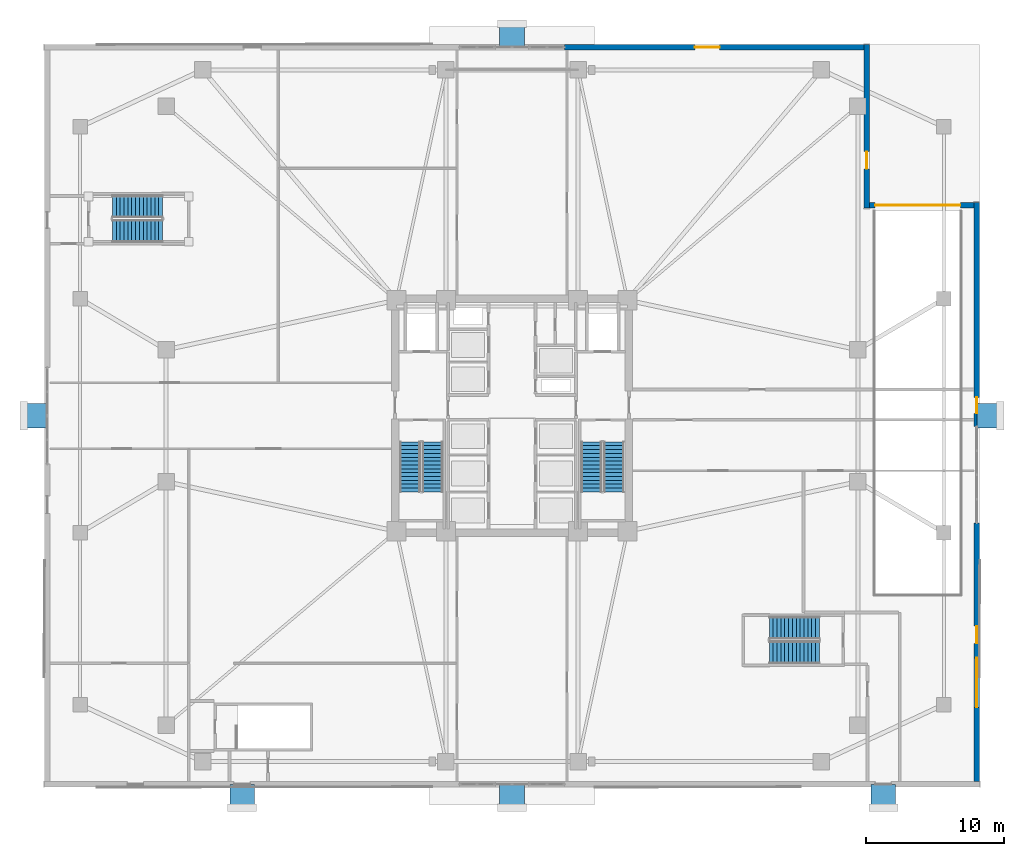
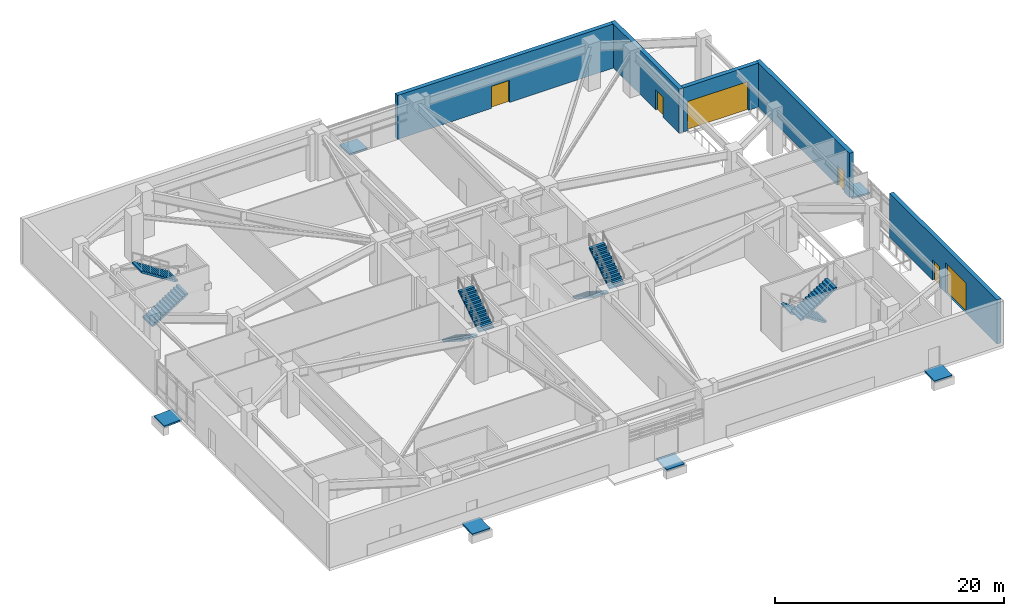
# One storey, part 12 of 21: 8 stair flights, 6 doors, 6 ramp flights, 5 walls, 6 openings, 10 elements without a shape of their own.
"""IFC4 building model written with IfcOpenShell, lengths in metres."""

from ifc_helpers import new_model, si_unit, direction, frame, frame_2d, origin, place, context, subcontext, project, spatial, polyline, rectangle, outline, extrude, material, layer, layer_set, type_object, element, fill, aggregate, save


model = new_model("IFC4")

# Units and contexts
model_context = context("Model", 3, precision=1e-05, world=origin(), true_north=direction((0.0, 1.0)))
body_context = subcontext(model_context, "Body", "Model", "MODEL_VIEW")
ifc_project = project(units=[si_unit("LENGTHUNIT", "METRE"), si_unit("AREAUNIT", "SQUARE_METRE"), si_unit("VOLUMEUNIT", "CUBIC_METRE"), si_unit("PLANEANGLEUNIT", "RADIAN"), si_unit("MASSUNIT", "GRAM", prefix="KILO")], contexts=[model_context])

# Site, building, storey
site_placement = place(None, origin())
site = spatial("IfcSite", under=ifc_project, at=site_placement, CompositionType="ELEMENT")
building_placement = place(site_placement, origin())
building = spatial("IfcBuilding", under=site, at=building_placement, Name="Cairnveth Concourse Tower", CompositionType="ELEMENT")
storey_placement = place(building_placement, origin())
storey = spatial("IfcBuildingStorey", under=building, at=storey_placement, Name="L00", CompositionType="ELEMENT", Elevation=0.0)

# Wall, opening, door
ifc_material_1 = material(Name="Hawthorn Red-Ochre Fired Clay Brick Masonry", Category="masonry")
ifc_layer_1 = layer(ifc_material_1, 0.419921875)
ifc_layer_set_1 = layer_set([ifc_layer_1], Name="Hawthorn Red-Ochre Fired Clay Brick Masonry")
wall_type = type_object("IfcWallType", Name="PODIUM HAWTHORN BRICK WALL 420", PredefinedType="SOLIDWALL", material=ifc_layer_set_1)
wall_1_placement = place(storey_placement, frame((55.800048828125, 65.7900390625, 0.0), z_axis=(0.0, 0.0, 1.0), x_axis=(1.0, 0.0, 0.0)))
wall_1 = element("IfcWall", 1, at=wall_1_placement, inside=storey, type_object=wall_type, Name="Exterior Wall EW-L00-NE", PredefinedType="SOLIDWALL", context=body_context, shape_type="SweptSolid", body=[
    extrude(rectangle(XDim=21.794921875, YDim=0.419921875, at=frame_2d((10.8974609375, 0.0))), origin(), (0.0, 0.0, 1.0), 4.699951171875),
])
opening_1_placement = place(wall_1_placement, frame((9.5, 0.0, 0.0)))
opening_1 = element("IfcOpeningElement", 2, at=opening_1_placement, cuts=wall_1, Name="Opening ED2", PredefinedType="OPENING", context=body_context, shape_type="SweptSolid", body=[
    extrude(rectangle(XDim=1.800048828125, YDim=2.35009765625, at=frame_2d((0.89990234375, 1.175048828125))), frame((0.0, 0.219970703125, 0.0), z_axis=(0.0, -1.0, 0.0), x_axis=(1.0, 0.0, 0.0)), (0.0, 0.0, 1.0), 0.43994140625),
])
ifc_material_2 = material(Name="Architectural Bronze Anodised Aluminium 6063-T6", Category="aluminium")
door_type_1 = type_object("IfcDoorType", Name="RETAIL STREET ENTRANCE DOOR 1800X2350", OperationType="DOUBLE_DOOR_SINGLE_SWING", PredefinedType="DOOR", material=ifc_material_2)
door_1_placement = place(opening_1_placement, origin())
door_1 = element("IfcDoor", 3, at=door_1_placement, inside=storey, type_object=door_type_1, Name="North-East Retail Street Door", OperationType="SINGLE_SWING_LEFT", OverallHeight=2.35009765625, OverallWidth=1.800048828125, PredefinedType="DOOR", context=body_context, shape_type="SweptSolid", body=[
    extrude(rectangle(XDim=1.800048828125, YDim=2.35009765625, at=frame_2d((0.89990234375, 1.175048828125))), frame((0.0, 0.02490234375, 0.0), z_axis=(0.0, -1.0, 0.0), x_axis=(1.0, 0.0, 0.0)), (0.0, 0.0, 1.0), 0.050048828125),
])
fill(opening_1, door_1)

wall_2_placement = place(storey_placement, frame((77.7900390625, 66.0, 0.0), z_axis=(0.0, 0.0, 1.0), x_axis=(0.0, -1.0, 0.0)))
wall_2 = element("IfcWall", 4, at=wall_2_placement, inside=storey, type_object=wall_type, Name="Exterior Wall EW-L00-APRON-W", PredefinedType="SOLIDWALL", context=body_context, shape_type="SweptSolid", body=[
    extrude(rectangle(XDim=11.909912109375, YDim=0.419921875, at=frame_2d((5.955078125, 0.0))), origin(), (0.0, 0.0, 1.0), 4.699951171875),
])
opening_2_placement = place(wall_2_placement, frame((7.800048828125, 0.0, 0.0)))
opening_2 = element("IfcOpeningElement", 5, at=opening_2_placement, cuts=wall_2, Name="Opening SG-01", PredefinedType="OPENING", context=body_context, shape_type="SweptSolid", body=[
    extrude(rectangle(XDim=1.25, YDim=2.14990234375, at=frame_2d((0.625, 1.074951171875))), frame((0.0, 0.219970703125, 0.0), z_axis=(0.0, -1.0, 0.0), x_axis=(1.0, 0.0, 0.0)), (0.0, 0.0, 1.0), 0.43994140625),
])
door_type_2 = type_object("IfcDoorType", Name="APRON PEDESTRIAN SECURITY GATE 1250X2150", OperationType="NOTDEFINED", PredefinedType="GATE", material=ifc_material_2)
door_2_placement = place(opening_2_placement, origin())
door_2 = element("IfcDoor", 6, at=door_2_placement, inside=storey, type_object=door_type_2, Name="Driveway Apron Security Gate SG-01", OperationType="SINGLE_SWING_LEFT", OverallHeight=2.14990234375, OverallWidth=1.25, PredefinedType="GATE", context=body_context, shape_type="SweptSolid", body=[
    extrude(rectangle(XDim=1.25, YDim=2.14990234375, at=frame_2d((0.625, 1.074951171875))), frame((0.0, 0.02490234375, 0.0), z_axis=(0.0, -1.0, 0.0), x_axis=(1.0, 0.0, 0.0)), (0.0, 0.0, 1.0), 0.050048828125),
])
fill(opening_2, door_2)

wall_3_placement = place(storey_placement, frame((77.985107421875, 54.300048828125, 0.0), z_axis=(0.0, 0.0, 1.0), x_axis=(1.0, 0.0, 0.0)))
wall_3 = element("IfcWall", 7, at=wall_3_placement, inside=storey, type_object=wall_type, Name="Exterior Wall EW-L00-APRON-S", PredefinedType="SOLIDWALL", context=body_context, shape_type="SweptSolid", body=[
    extrude(rectangle(XDim=7.60986328125, YDim=0.419921875, at=frame_2d((3.804931640625, 0.0))), origin(), (0.0, 0.0, 1.0), 4.699951171875),
])
opening_3_placement = place(wall_3_placement, frame((0.4150390625, 0.0, 0.0)))
opening_3 = element("IfcOpeningElement", 8, at=opening_3_placement, cuts=wall_3, Name="Opening VG-01", PredefinedType="OPENING", context=body_context, shape_type="SweptSolid", body=[
    extrude(rectangle(XDim=6.199951171875, YDim=3.10009765625, at=frame_2d((3.10009765625, 1.550048828125))), frame((0.0, 0.219970703125, 0.0), z_axis=(0.0, -1.0, 0.0), x_axis=(1.0, 0.0, 0.0)), (0.0, 0.0, 1.0), 0.43994140625),
])
door_type_3 = type_object("IfcDoorType", Name="VEHICLE RAMP ROLLER GATE 6200X3100", OperationType="ROLLINGUP", PredefinedType="GATE", material=ifc_material_2)
door_3_placement = place(opening_3_placement, origin())
door_3 = element("IfcDoor", 9, at=door_3_placement, inside=storey, type_object=door_type_3, Name="Vehicle Car Park Ramp Roller Gate VG-01", OperationType="ROLLINGUP", OverallHeight=3.10009765625, OverallWidth=6.199951171875, PredefinedType="GATE", context=body_context, shape_type="SweptSolid", body=[
    extrude(rectangle(XDim=6.199951171875, YDim=3.10009765625, at=frame_2d((3.10009765625, 1.550048828125))), frame((0.0, 0.02490234375, 0.0), z_axis=(0.0, -1.0, 0.0), x_axis=(1.0, 0.0, 0.0)), (0.0, 0.0, 1.0), 0.050048828125),
])
fill(opening_3, door_3)

wall_4_placement = place(storey_placement, frame((85.7900390625, 54.510009765625, 0.0), z_axis=(0.0, 0.0, 1.0), x_axis=(0.0, -1.0, 0.0)))
wall_4 = element("IfcWall", 10, at=wall_4_placement, inside=storey, type_object=wall_type, Name="Exterior Wall EW-L00-E1", PredefinedType="SOLIDWALL", context=body_context, shape_type="SweptSolid", body=[
    extrude(rectangle(XDim=16.31005859375, YDim=0.419921875, at=frame_2d((8.155029296875, 0.0))), origin(), (0.0, 0.0, 1.0), 4.699951171875),
])
opening_4_placement = place(wall_4_placement, frame((14.179931640625, 0.0, 0.0)))
opening_4 = element("IfcOpeningElement", 11, at=opening_4_placement, cuts=wall_4, Name="Opening ED3", PredefinedType="OPENING", context=body_context, shape_type="SweptSolid", body=[
    extrude(rectangle(XDim=1.14990234375, YDim=2.14990234375, at=frame_2d((0.574951171875, 1.074951171875))), frame((0.0, 0.219970703125, 0.0), z_axis=(0.0, -1.0, 0.0), x_axis=(1.0, 0.0, 0.0)), (0.0, 0.0, 1.0), 0.43994140625),
])
door_type_4 = type_object("IfcDoorType", Name="FINAL EXIT DISCHARGE DOOR 1150X2150", OperationType="NOTDEFINED", PredefinedType="DOOR", material=ifc_material_2)
door_4_placement = place(opening_4_placement, origin())
door_4 = element("IfcDoor", 12, at=door_4_placement, inside=storey, type_object=door_type_4, Name="East Core Stair ST-2 Final Exit Discharge Door", OperationType="SINGLE_SWING_LEFT", OverallHeight=2.14990234375, OverallWidth=1.14990234375, PredefinedType="DOOR", context=body_context, shape_type="SweptSolid", body=[
    extrude(rectangle(XDim=1.14990234375, YDim=2.14990234375, at=frame_2d((0.574951171875, 1.074951171875))), frame((0.0, 0.02490234375, 0.0), z_axis=(0.0, -1.0, 0.0), x_axis=(1.0, 0.0, 0.0)), (0.0, 0.0, 1.0), 0.050048828125),
])
fill(opening_4, door_4)

# Wall, openings, doors
wall_5_placement = place(storey_placement, frame((85.7900390625, 31.199951171875, 0.0), z_axis=(0.0, 0.0, 1.0), x_axis=(0.0, -1.0, 0.0)))
wall_5 = element("IfcWall", 13, at=wall_5_placement, inside=storey, type_object=wall_type, Name="Exterior Wall EW-L00-E2", PredefinedType="SOLIDWALL", context=body_context, shape_type="SweptSolid", body=[
    extrude(rectangle(XDim=18.794921875, YDim=0.419921875, at=frame_2d((9.3974609375, 0.0))), origin(), (0.0, 0.0, 1.0), 4.699951171875),
])
opening_5_placement = place(wall_5_placement, frame((9.800048828125, 0.0, 0.0)))
opening_5 = element("IfcOpeningElement", 14, at=opening_5_placement, cuts=wall_5, Name="Opening LG-01", PredefinedType="OPENING", context=body_context, shape_type="SweptSolid", body=[
    extrude(rectangle(XDim=3.60009765625, YDim=3.199951171875, at=frame_2d((1.800048828125, 1.60009765625))), frame((0.0, 0.219970703125, 0.0), z_axis=(0.0, -1.0, 0.0), x_axis=(1.0, 0.0, 0.0)), (0.0, 0.0, 1.0), 0.43994140625),
])
opening_6_placement = place(wall_5_placement, frame((7.5, 0.0, 0.0)))
opening_6 = element("IfcOpeningElement", 15, at=opening_6_placement, cuts=wall_5, Name="Opening SG-01", PredefinedType="OPENING", context=body_context, shape_type="SweptSolid", body=[
    extrude(rectangle(XDim=1.25, YDim=2.14990234375, at=frame_2d((0.625, 1.074951171875))), frame((0.0, 0.219970703125, 0.0), z_axis=(0.0, -1.0, 0.0), x_axis=(1.0, 0.0, 0.0)), (0.0, 0.0, 1.0), 0.43994140625),
])
door_5_placement = place(opening_6_placement, origin())
door_5 = element("IfcDoor", 16, at=door_5_placement, inside=storey, type_object=door_type_2, Name="Loading Personnel Gate SG-02", OperationType="SINGLE_SWING_RIGHT", OverallHeight=2.14990234375, OverallWidth=1.25, PredefinedType="GATE", context=body_context, shape_type="SweptSolid", body=[
    extrude(rectangle(XDim=1.25, YDim=2.14990234375, at=frame_2d((0.625, 1.074951171875))), frame((0.0, 0.02490234375, 0.0), z_axis=(0.0, -1.0, 0.0), x_axis=(1.0, 0.0, 0.0)), (0.0, 0.0, 1.0), 0.050048828125),
])
fill(opening_6, door_5)
door_type_5 = type_object("IfcDoorType", Name="LOADING DOCK SECURITY GATE 3600X3200", OperationType="ROLLINGUP", PredefinedType="GATE", material=ifc_material_2)
door_6_placement = place(opening_5_placement, origin())
door_6 = element("IfcDoor", 17, at=door_6_placement, inside=storey, type_object=door_type_5, Name="Loading Dock Roller Shutter Gate LG-01", OperationType="ROLLINGUP", OverallHeight=3.199951171875, OverallWidth=3.60009765625, PredefinedType="GATE", context=body_context, shape_type="SweptSolid", body=[
    extrude(rectangle(XDim=3.60009765625, YDim=3.199951171875, at=frame_2d((1.800048828125, 1.60009765625))), frame((0.0, 0.02490234375, 0.0), z_axis=(0.0, -1.0, 0.0), x_axis=(1.0, 0.0, 0.0)), (0.0, 0.0, 1.0), 0.050048828125),
])
fill(opening_5, door_6)

# Stair, stair flights
ifc_material_3 = material(Name="Precast concrete N50 (50 MPa)", Category="concrete")
stair_type_1 = type_object("IfcStairType", Name="CORE DOG-LEG FIRE STAIR 1500", PredefinedType="HALF_TURN_STAIR", material=ifc_material_3)
stair_1_placement = place(storey_placement, origin())
stair_1 = element("IfcStair", 18, at=stair_1_placement, inside=storey, type_object=stair_type_1, Name="L00 Fire-Isolated Stair ST-1", PredefinedType="HALF_TURN_STAIR")
stair_flight_type_1 = type_object("IfcStairFlightType", Name="PRECAST CONCRETE STAIR FLIGHT 1500", PredefinedType="STRAIGHT", material=ifc_material_3)
stair_flight_1_placement = place(storey_placement, frame((44.590087890625, 37.10009765625, 0.0), z_axis=(0.0, 0.0, 1.0), x_axis=(0.0, -1.0, 0.0)))
stair_flight_1 = element("IfcStairFlight", 19, at=stair_flight_1_placement, type_object=stair_flight_type_1, Name="ST-1 flight 1", NumberOfRisers=14, NumberOfTreads=13, PredefinedType="STRAIGHT", RiserHeight=0.178571429, TreadLength=0.28, context=body_context, shape_type="SweptSolid", body=[
    extrude(outline(polyline([(0.0, 0.0), (0.0, 0.178466796875), (0.280029296875, 0.178466796875), (0.280029296875, 0.357177734375), (0.56005859375, 0.357177734375), (0.56005859375, 0.53564453125), (0.840087890625, 0.53564453125), (0.840087890625, 0.71435546875), (1.1201171875, 0.71435546875), (1.1201171875, 0.892822265625), (1.39990234375, 0.892822265625), (1.39990234375, 1.071533203125), (1.679931640625, 1.071533203125), (1.679931640625, 1.25), (1.9599609375, 1.25), (1.9599609375, 1.428466796875), (2.239990234375, 1.428466796875), (2.239990234375, 1.607177734375), (2.52001953125, 1.607177734375), (2.52001953125, 1.78564453125), (2.800048828125, 1.78564453125), (2.800048828125, 1.96435546875), (3.080078125, 1.96435546875), (3.080078125, 2.142822265625), (3.360107421875, 2.142822265625), (3.360107421875, 2.321533203125), (3.639892578125, 2.321533203125), (3.639892578125, 2.5), (3.639892578125, 2.1435546875), (0.27880859375, 0.0), (0.0, 0.0)])), frame((0.0, 0.75, 0.0), z_axis=(0.0, -1.0, 0.0), x_axis=(1.0, 0.0, 0.0)), (0.0, 0.0, 1.0), 1.5),
])
stair_flight_2_placement = place(storey_placement, frame((46.22998046875, 33.4599609375, 2.5), z_axis=(0.0, 0.0, 1.0), x_axis=(0.0, 1.0, 0.0)))
stair_flight_2 = element("IfcStairFlight", 20, at=stair_flight_2_placement, type_object=stair_flight_type_1, Name="ST-1 flight 2", NumberOfRisers=14, NumberOfTreads=13, PredefinedType="STRAIGHT", RiserHeight=0.178571429, TreadLength=0.28, context=body_context, shape_type="SweptSolid", body=[
    extrude(outline(polyline([(0.0, 0.0), (0.0, 0.178466796875), (0.280029296875, 0.178466796875), (0.280029296875, 0.357177734375), (0.56005859375, 0.357177734375), (0.56005859375, 0.53564453125), (0.840087890625, 0.53564453125), (0.840087890625, 0.71435546875), (1.1201171875, 0.71435546875), (1.1201171875, 0.892822265625), (1.39990234375, 0.892822265625), (1.39990234375, 1.071533203125), (1.679931640625, 1.071533203125), (1.679931640625, 1.25), (1.9599609375, 1.25), (1.9599609375, 1.428466796875), (2.239990234375, 1.428466796875), (2.239990234375, 1.607177734375), (2.52001953125, 1.607177734375), (2.52001953125, 1.78564453125), (2.800048828125, 1.78564453125), (2.800048828125, 1.96435546875), (3.080078125, 1.96435546875), (3.080078125, 2.142822265625), (3.360107421875, 2.142822265625), (3.360107421875, 2.321533203125), (3.639892578125, 2.321533203125), (3.639892578125, 2.5), (3.639892578125, 2.1435546875), (0.27880859375, 0.0), (0.0, 0.0)])), frame((0.0, 0.75, 0.0), z_axis=(0.0, -1.0, 0.0), x_axis=(1.0, 0.0, 0.0)), (0.0, 0.0, 1.0), 1.5),
])
aggregate(stair_1, [stair_flight_1, stair_flight_2])

stair_2_placement = place(storey_placement, origin())
stair_2 = element("IfcStair", 21, at=stair_2_placement, inside=storey, type_object=stair_type_1, Name="L00 Fire-Isolated Stair ST-2", PredefinedType="HALF_TURN_STAIR")
stair_flight_3_placement = place(storey_placement, frame((57.77001953125, 37.10009765625, 0.0), z_axis=(0.0, 0.0, 1.0), x_axis=(0.0, -1.0, 0.0)))
stair_flight_3 = element("IfcStairFlight", 22, at=stair_flight_3_placement, type_object=stair_flight_type_1, Name="ST-2 flight 1", NumberOfRisers=14, NumberOfTreads=13, PredefinedType="STRAIGHT", RiserHeight=0.178571429, TreadLength=0.28, context=body_context, shape_type="SweptSolid", body=[
    extrude(outline(polyline([(0.0, 0.0), (0.0, 0.178466796875), (0.280029296875, 0.178466796875), (0.280029296875, 0.357177734375), (0.56005859375, 0.357177734375), (0.56005859375, 0.53564453125), (0.840087890625, 0.53564453125), (0.840087890625, 0.71435546875), (1.1201171875, 0.71435546875), (1.1201171875, 0.892822265625), (1.39990234375, 0.892822265625), (1.39990234375, 1.071533203125), (1.679931640625, 1.071533203125), (1.679931640625, 1.25), (1.9599609375, 1.25), (1.9599609375, 1.428466796875), (2.239990234375, 1.428466796875), (2.239990234375, 1.607177734375), (2.52001953125, 1.607177734375), (2.52001953125, 1.78564453125), (2.800048828125, 1.78564453125), (2.800048828125, 1.96435546875), (3.080078125, 1.96435546875), (3.080078125, 2.142822265625), (3.360107421875, 2.142822265625), (3.360107421875, 2.321533203125), (3.639892578125, 2.321533203125), (3.639892578125, 2.5), (3.639892578125, 2.1435546875), (0.27880859375, 0.0), (0.0, 0.0)])), frame((0.0, 0.75, 0.0), z_axis=(0.0, -1.0, 0.0), x_axis=(1.0, 0.0, 0.0)), (0.0, 0.0, 1.0), 1.5),
])
stair_flight_4_placement = place(storey_placement, frame((59.409912109375, 33.4599609375, 2.5), z_axis=(0.0, 0.0, 1.0), x_axis=(0.0, 1.0, 0.0)))
stair_flight_4 = element("IfcStairFlight", 23, at=stair_flight_4_placement, type_object=stair_flight_type_1, Name="ST-2 flight 2", NumberOfRisers=14, NumberOfTreads=13, PredefinedType="STRAIGHT", RiserHeight=0.178571429, TreadLength=0.28, context=body_context, shape_type="SweptSolid", body=[
    extrude(outline(polyline([(0.0, 0.0), (0.0, 0.178466796875), (0.280029296875, 0.178466796875), (0.280029296875, 0.357177734375), (0.56005859375, 0.357177734375), (0.56005859375, 0.53564453125), (0.840087890625, 0.53564453125), (0.840087890625, 0.71435546875), (1.1201171875, 0.71435546875), (1.1201171875, 0.892822265625), (1.39990234375, 0.892822265625), (1.39990234375, 1.071533203125), (1.679931640625, 1.071533203125), (1.679931640625, 1.25), (1.9599609375, 1.25), (1.9599609375, 1.428466796875), (2.239990234375, 1.428466796875), (2.239990234375, 1.607177734375), (2.52001953125, 1.607177734375), (2.52001953125, 1.78564453125), (2.800048828125, 1.78564453125), (2.800048828125, 1.96435546875), (3.080078125, 1.96435546875), (3.080078125, 2.142822265625), (3.360107421875, 2.142822265625), (3.360107421875, 2.321533203125), (3.639892578125, 2.321533203125), (3.639892578125, 2.5), (3.639892578125, 2.1435546875), (0.27880859375, 0.0), (0.0, 0.0)])), frame((0.0, 0.75, 0.0), z_axis=(0.0, -1.0, 0.0), x_axis=(1.0, 0.0, 0.0)), (0.0, 0.0, 1.0), 1.5),
])
aggregate(stair_2, [stair_flight_3, stair_flight_4])

stair_type_2 = type_object("IfcStairType", Name="PODIUM ESCAPE DOG-LEG STAIR 1650", PredefinedType="HALF_TURN_STAIR", material=ifc_material_3)
stair_3_placement = place(storey_placement, origin())
stair_3 = element("IfcStair", 24, at=stair_3_placement, inside=storey, type_object=stair_type_2, Name="L00 Fire-Isolated Stair ST-P1", PredefinedType="HALF_TURN_STAIR")
stair_flight_type_2 = type_object("IfcStairFlightType", Name="PRECAST CONCRETE STAIR FLIGHT 1650", PredefinedType="STRAIGHT", material=ifc_material_3)
stair_flight_5_placement = place(storey_placement, frame((22.949951171875, 52.425048828125, 0.0), z_axis=(0.0, 0.0, 1.0), x_axis=(1.0, 0.0, 0.0)))
stair_flight_5 = element("IfcStairFlight", 25, at=stair_flight_5_placement, type_object=stair_flight_type_2, Name="ST-P1 flight 1", NumberOfRisers=14, NumberOfTreads=13, PredefinedType="STRAIGHT", RiserHeight=0.178571429, TreadLength=0.28, context=body_context, shape_type="SweptSolid", body=[
    extrude(outline(polyline([(0.0, 0.0), (0.0, 0.178466796875), (0.280029296875, 0.178466796875), (0.280029296875, 0.357177734375), (0.56005859375, 0.357177734375), (0.56005859375, 0.53564453125), (0.840087890625, 0.53564453125), (0.840087890625, 0.71435546875), (1.1201171875, 0.71435546875), (1.1201171875, 0.892822265625), (1.39990234375, 0.892822265625), (1.39990234375, 1.071533203125), (1.679931640625, 1.071533203125), (1.679931640625, 1.25), (1.9599609375, 1.25), (1.9599609375, 1.428466796875), (2.239990234375, 1.428466796875), (2.239990234375, 1.607177734375), (2.52001953125, 1.607177734375), (2.52001953125, 1.78564453125), (2.800048828125, 1.78564453125), (2.800048828125, 1.96435546875), (3.080078125, 1.96435546875), (3.080078125, 2.142822265625), (3.360107421875, 2.142822265625), (3.360107421875, 2.321533203125), (3.639892578125, 2.321533203125), (3.639892578125, 2.5), (3.639892578125, 2.1435546875), (0.27880859375, 0.0), (0.0, 0.0)])), frame((0.0, 0.824951171875, 0.0), z_axis=(0.0, -1.0, 0.0), x_axis=(1.0, 0.0, 0.0)), (0.0, 0.0, 1.0), 1.64990234375),
])
stair_flight_6_placement = place(storey_placement, frame((26.590087890625, 54.215087890625, 2.5), z_axis=(0.0, 0.0, 1.0), x_axis=(-1.0, 0.0, 0.0)))
stair_flight_6 = element("IfcStairFlight", 26, at=stair_flight_6_placement, type_object=stair_flight_type_2, Name="ST-P1 flight 2", NumberOfRisers=14, NumberOfTreads=13, PredefinedType="STRAIGHT", RiserHeight=0.178571429, TreadLength=0.28, context=body_context, shape_type="SweptSolid", body=[
    extrude(outline(polyline([(0.0, 0.0), (0.0, 0.178466796875), (0.280029296875, 0.178466796875), (0.280029296875, 0.357177734375), (0.56005859375, 0.357177734375), (0.56005859375, 0.53564453125), (0.840087890625, 0.53564453125), (0.840087890625, 0.71435546875), (1.1201171875, 0.71435546875), (1.1201171875, 0.892822265625), (1.39990234375, 0.892822265625), (1.39990234375, 1.071533203125), (1.679931640625, 1.071533203125), (1.679931640625, 1.25), (1.9599609375, 1.25), (1.9599609375, 1.428466796875), (2.239990234375, 1.428466796875), (2.239990234375, 1.607177734375), (2.52001953125, 1.607177734375), (2.52001953125, 1.78564453125), (2.800048828125, 1.78564453125), (2.800048828125, 1.96435546875), (3.080078125, 1.96435546875), (3.080078125, 2.142822265625), (3.360107421875, 2.142822265625), (3.360107421875, 2.321533203125), (3.639892578125, 2.321533203125), (3.639892578125, 2.5), (3.639892578125, 2.1435546875), (0.27880859375, 0.0), (0.0, 0.0)])), frame((0.0, 0.824951171875, 0.0), z_axis=(0.0, -1.0, 0.0), x_axis=(1.0, 0.0, 0.0)), (0.0, 0.0, 1.0), 1.64990234375),
])
aggregate(stair_3, [stair_flight_5, stair_flight_6])

stair_4_placement = place(storey_placement, origin())
stair_4 = element("IfcStair", 27, at=stair_4_placement, inside=storey, type_object=stair_type_2, Name="L00 Fire-Isolated Stair ST-P2", PredefinedType="HALF_TURN_STAIR")
stair_flight_7_placement = place(storey_placement, frame((74.35009765625, 23.574951171875, 0.0), z_axis=(0.0, 0.0, 1.0), x_axis=(-1.0, 0.0, 0.0)))
stair_flight_7 = element("IfcStairFlight", 28, at=stair_flight_7_placement, type_object=stair_flight_type_2, Name="ST-P2 flight 1", NumberOfRisers=14, NumberOfTreads=13, PredefinedType="STRAIGHT", RiserHeight=0.178571429, TreadLength=0.28, context=body_context, shape_type="SweptSolid", body=[
    extrude(outline(polyline([(0.0, 0.0), (0.0, 0.178466796875), (0.280029296875, 0.178466796875), (0.280029296875, 0.357177734375), (0.56005859375, 0.357177734375), (0.56005859375, 0.53564453125), (0.840087890625, 0.53564453125), (0.840087890625, 0.71435546875), (1.1201171875, 0.71435546875), (1.1201171875, 0.892822265625), (1.39990234375, 0.892822265625), (1.39990234375, 1.071533203125), (1.679931640625, 1.071533203125), (1.679931640625, 1.25), (1.9599609375, 1.25), (1.9599609375, 1.428466796875), (2.239990234375, 1.428466796875), (2.239990234375, 1.607177734375), (2.52001953125, 1.607177734375), (2.52001953125, 1.78564453125), (2.800048828125, 1.78564453125), (2.800048828125, 1.96435546875), (3.080078125, 1.96435546875), (3.080078125, 2.142822265625), (3.360107421875, 2.142822265625), (3.360107421875, 2.321533203125), (3.639892578125, 2.321533203125), (3.639892578125, 2.5), (3.639892578125, 2.1435546875), (0.27880859375, 0.0), (0.0, 0.0)])), frame((0.0, 0.824951171875, 0.0), z_axis=(0.0, -1.0, 0.0), x_axis=(1.0, 0.0, 0.0)), (0.0, 0.0, 1.0), 1.64990234375),
])
stair_flight_8_placement = place(storey_placement, frame((70.7099609375, 21.784912109375, 2.5), z_axis=(0.0, 0.0, 1.0), x_axis=(1.0, 0.0, 0.0)))
stair_flight_8 = element("IfcStairFlight", 29, at=stair_flight_8_placement, type_object=stair_flight_type_2, Name="ST-P2 flight 2", NumberOfRisers=14, NumberOfTreads=13, PredefinedType="STRAIGHT", RiserHeight=0.178571429, TreadLength=0.28, context=body_context, shape_type="SweptSolid", body=[
    extrude(outline(polyline([(0.0, 0.0), (0.0, 0.178466796875), (0.280029296875, 0.178466796875), (0.280029296875, 0.357177734375), (0.56005859375, 0.357177734375), (0.56005859375, 0.53564453125), (0.840087890625, 0.53564453125), (0.840087890625, 0.71435546875), (1.1201171875, 0.71435546875), (1.1201171875, 0.892822265625), (1.39990234375, 0.892822265625), (1.39990234375, 1.071533203125), (1.679931640625, 1.071533203125), (1.679931640625, 1.25), (1.9599609375, 1.25), (1.9599609375, 1.428466796875), (2.239990234375, 1.428466796875), (2.239990234375, 1.607177734375), (2.52001953125, 1.607177734375), (2.52001953125, 1.78564453125), (2.800048828125, 1.78564453125), (2.800048828125, 1.96435546875), (3.080078125, 1.96435546875), (3.080078125, 2.142822265625), (3.360107421875, 2.142822265625), (3.360107421875, 2.321533203125), (3.639892578125, 2.321533203125), (3.639892578125, 2.5), (3.639892578125, 2.1435546875), (0.27880859375, 0.0), (0.0, 0.0)])), frame((0.0, 0.824951171875, 0.0), z_axis=(0.0, -1.0, 0.0), x_axis=(1.0, 0.0, 0.0)), (0.0, 0.0, 1.0), 1.64990234375),
])
aggregate(stair_4, [stair_flight_7, stair_flight_8])

# Ramp, ramp flight
ifc_material_4 = material(Name="Concrete N40 (40 MPa)", Category="concrete")
ifc_layer_2 = layer(ifc_material_4, 0.179931640625)
ifc_layer_set_2 = layer_set([ifc_layer_2], Name="Concrete N40 (40 MPa)")
ramp_type = type_object("IfcRampType", Name="CONCOURSE ACCESSIBLE THRESHOLD RAMP", PredefinedType="STRAIGHT_RUN_RAMP", material=ifc_layer_set_2)
ramp_1_placement = place(storey_placement, origin())
ramp_1 = element("IfcRamp", 30, at=ramp_1_placement, inside=storey, type_object=ramp_type, Name="Accessible Threshold Ramp AR-N", PredefinedType="STRAIGHT_RUN_RAMP")
ifc_layer_3 = layer(ifc_material_4, 0.179931640625)
ifc_layer_set_3 = layer_set([ifc_layer_3], Name="Concrete N40 (40 MPa)")
ramp_flight_type = type_object("IfcRampFlightType", Name="ACCESSIBLE RAMP FLIGHT 180", PredefinedType="STRAIGHT", material=ifc_layer_set_3)
ramp_flight_1_placement = place(storey_placement, frame((52.0, 67.60009765625, -0.10009765625), z_axis=(0.0, 0.0, 1.0), x_axis=(0.0, -1.0, 0.0)))
ramp_flight_1 = element("IfcRampFlight", 31, at=ramp_flight_1_placement, type_object=ramp_flight_type, Name="Accessible Threshold Ramp Flight AR-N", PredefinedType="STRAIGHT", context=body_context, shape_type="SweptSolid", body=[
    extrude(outline(polyline([(0.0, 0.0), (1.800048828125, 0.10009765625), (1.800048828125, -0.079833984375), (0.0, -0.179931640625), (0.0, 0.0)])), frame((0.0, 0.89990234375, 0.0), z_axis=(0.0, -1.0, 0.0), x_axis=(1.0, 0.0, 0.0)), (0.0, 0.0, 1.0), 1.800048828125),
])
aggregate(ramp_1, [ramp_flight_1])

ramp_2_placement = place(storey_placement, origin())
ramp_2 = element("IfcRamp", 32, at=ramp_2_placement, inside=storey, type_object=ramp_type, Name="Accessible Threshold Ramp AR-S", PredefinedType="STRAIGHT_RUN_RAMP")
ramp_flight_2_placement = place(storey_placement, frame((52.0, 10.39990234375, -0.10009765625), z_axis=(0.0, 0.0, 1.0), x_axis=(0.0, 1.0, 0.0)))
ramp_flight_2 = element("IfcRampFlight", 33, at=ramp_flight_2_placement, type_object=ramp_flight_type, Name="Accessible Threshold Ramp Flight AR-S", PredefinedType="STRAIGHT", context=body_context, shape_type="SweptSolid", body=[
    extrude(outline(polyline([(0.0, 0.0), (1.800048828125, 0.10009765625), (1.800048828125, -0.079833984375), (0.0, -0.179931640625), (0.0, 0.0)])), frame((0.0, 0.89990234375, 0.0), z_axis=(0.0, -1.0, 0.0), x_axis=(1.0, 0.0, 0.0)), (0.0, 0.0, 1.0), 1.800048828125),
])
aggregate(ramp_2, [ramp_flight_2])

ramp_3_placement = place(storey_placement, origin())
ramp_3 = element("IfcRamp", 34, at=ramp_3_placement, inside=storey, type_object=ramp_type, Name="Accessible Threshold Ramp AR-W", PredefinedType="STRAIGHT_RUN_RAMP")
ramp_flight_3_placement = place(storey_placement, frame((16.39990234375, 39.0, -0.10009765625), z_axis=(0.0, 0.0, 1.0), x_axis=(1.0, 0.0, 0.0)))
ramp_flight_3 = element("IfcRampFlight", 35, at=ramp_flight_3_placement, type_object=ramp_flight_type, Name="Accessible Threshold Ramp Flight AR-W", PredefinedType="STRAIGHT", context=body_context, shape_type="SweptSolid", body=[
    extrude(outline(polyline([(0.0, 0.0), (1.800048828125, 0.10009765625), (1.800048828125, -0.079833984375), (0.0, -0.179931640625), (0.0, 0.0)])), frame((0.0, 0.89990234375, 0.0), z_axis=(0.0, -1.0, 0.0), x_axis=(1.0, 0.0, 0.0)), (0.0, 0.0, 1.0), 1.800048828125),
])
aggregate(ramp_3, [ramp_flight_3])

ramp_4_placement = place(storey_placement, origin())
ramp_4 = element("IfcRamp", 36, at=ramp_4_placement, inside=storey, type_object=ramp_type, Name="Accessible Threshold Ramp AR-E", PredefinedType="STRAIGHT_RUN_RAMP")
ramp_flight_4_placement = place(storey_placement, frame((87.60009765625, 39.0, -0.10009765625), z_axis=(0.0, 0.0, 1.0), x_axis=(-1.0, 0.0, 0.0)))
ramp_flight_4 = element("IfcRampFlight", 37, at=ramp_flight_4_placement, type_object=ramp_flight_type, Name="Accessible Threshold Ramp Flight AR-E", PredefinedType="STRAIGHT", context=body_context, shape_type="SweptSolid", body=[
    extrude(outline(polyline([(0.0, 0.0), (1.800048828125, 0.10009765625), (1.800048828125, -0.079833984375), (0.0, -0.179931640625), (0.0, 0.0)])), frame((0.0, 0.89990234375, 0.0), z_axis=(0.0, -1.0, 0.0), x_axis=(1.0, 0.0, 0.0)), (0.0, 0.0, 1.0), 1.800048828125),
])
aggregate(ramp_4, [ramp_flight_4])

ramp_5_placement = place(storey_placement, origin())
ramp_5 = element("IfcRamp", 38, at=ramp_5_placement, inside=storey, type_object=ramp_type, Name="Accessible Threshold Ramp AR-SW", PredefinedType="STRAIGHT_RUN_RAMP")
ramp_flight_5_placement = place(storey_placement, frame((32.3798828125, 10.39990234375, -0.10009765625), z_axis=(0.0, 0.0, 1.0), x_axis=(0.0, 1.0, 0.0)))
ramp_flight_5 = element("IfcRampFlight", 39, at=ramp_flight_5_placement, type_object=ramp_flight_type, Name="Accessible Threshold Ramp Flight AR-SW", PredefinedType="STRAIGHT", context=body_context, shape_type="SweptSolid", body=[
    extrude(outline(polyline([(0.0, 0.0), (1.800048828125, 0.10009765625), (1.800048828125, -0.079833984375), (0.0, -0.179931640625), (0.0, 0.0)])), frame((0.0, 0.89990234375, 0.0), z_axis=(0.0, -1.0, 0.0), x_axis=(1.0, 0.0, 0.0)), (0.0, 0.0, 1.0), 1.800048828125),
])
aggregate(ramp_5, [ramp_flight_5])

ramp_6_placement = place(storey_placement, origin())
ramp_6 = element("IfcRamp", 40, at=ramp_6_placement, inside=storey, type_object=ramp_type, Name="Accessible Threshold Ramp AR-SE", PredefinedType="STRAIGHT_RUN_RAMP")
ramp_flight_6_placement = place(storey_placement, frame((79.0, 10.39990234375, -0.10009765625), z_axis=(0.0, 0.0, 1.0), x_axis=(0.0, 1.0, 0.0)))
ramp_flight_6 = element("IfcRampFlight", 41, at=ramp_flight_6_placement, type_object=ramp_flight_type, Name="Accessible Threshold Ramp Flight AR-SE", PredefinedType="STRAIGHT", context=body_context, shape_type="SweptSolid", body=[
    extrude(outline(polyline([(0.0, 0.0), (1.800048828125, 0.10009765625), (1.800048828125, -0.079833984375), (0.0, -0.179931640625), (0.0, 0.0)])), frame((0.0, 0.89990234375, 0.0), z_axis=(0.0, -1.0, 0.0), x_axis=(1.0, 0.0, 0.0)), (0.0, 0.0, 1.0), 1.800048828125),
])
aggregate(ramp_6, [ramp_flight_6])

save(model, "model.ifc")
